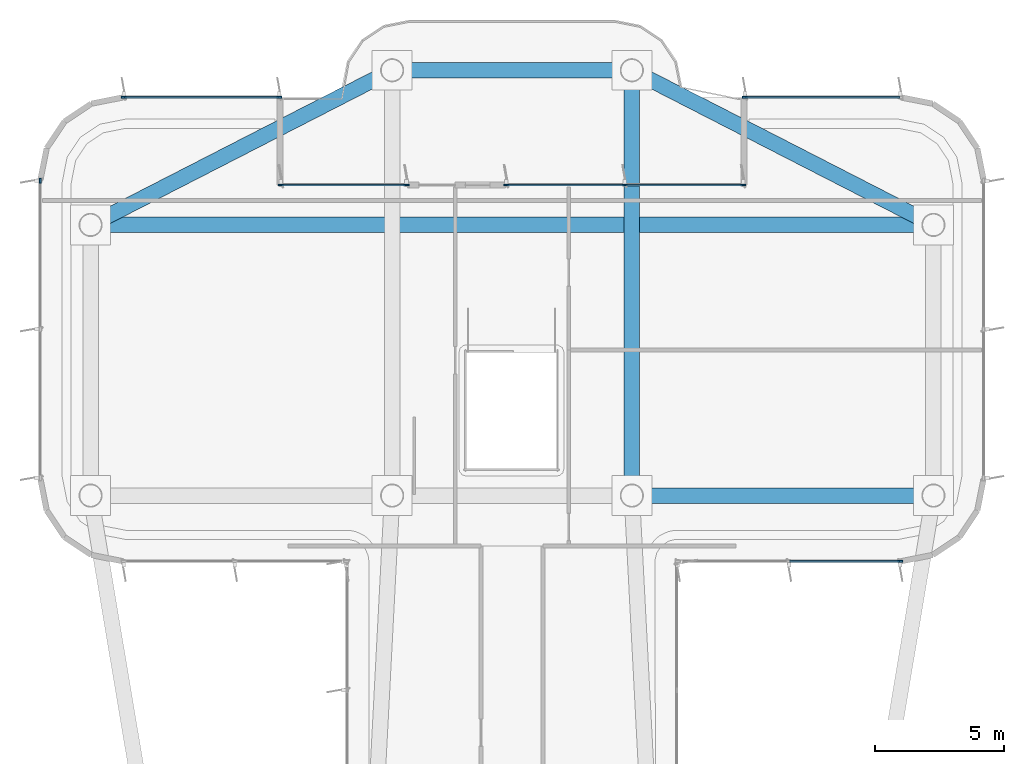
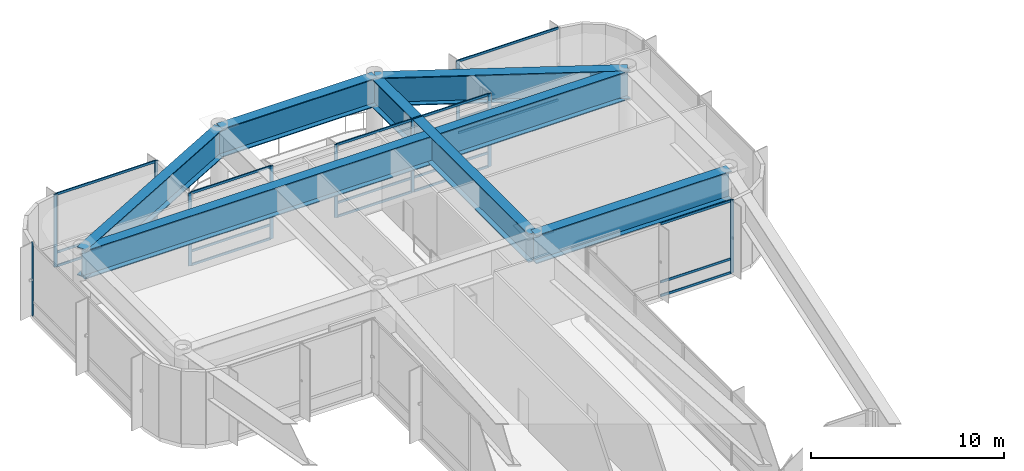
# One storey, part 6 of 13: 28 members, 6 beams, 6 elements without a shape of their own.
"""IFC4 building model written with IfcOpenShell, lengths in metres."""

from ifc_helpers import new_model, si_unit, direction, frame, origin, origin_2d, place, context, subcontext, project, spatial, rectangle, i_section, extrude, source, transform, mapped, material, layer, layer_set, material_profile, profile_set, type_object, element, aggregate, save


model = new_model("IFC4")

# Units and contexts
model_context = context("Model", 3, precision=1e-05, world=origin(), true_north=direction((0.0, 1.0)))
body_context = subcontext(model_context, "Body", "Model", "MODEL_VIEW")
ifc_project = project(units=[si_unit("LENGTHUNIT", "METRE"), si_unit("AREAUNIT", "SQUARE_METRE"), si_unit("VOLUMEUNIT", "CUBIC_METRE"), si_unit("PLANEANGLEUNIT", "RADIAN"), si_unit("MASSUNIT", "GRAM", prefix="KILO")], contexts=[model_context])

# Site, building, storey
site_placement = place(None, origin())
site = spatial("IfcSite", under=ifc_project, at=site_placement, CompositionType="ELEMENT")
building_placement = place(site_placement, origin())
building = spatial("IfcBuilding", under=site, at=building_placement, Name="Brelvock Crest Care Tower", CompositionType="ELEMENT")
storey_placement = place(building_placement, frame((0.0, 0.0, 291.06005859375)))
storey = spatial("IfcBuildingStorey", under=building, at=storey_placement, Name="L74", CompositionType="ELEMENT", Elevation=291.06005859375)

# Beams
ifc_material_1 = material(Name="Steel Grade 350", Category="steel")
ifc_material_profile_1 = material_profile(ifc_material_1, i_section(OverallWidth=0.60009765625, OverallDepth=1.800048828125, WebThickness=0.028076171875, FlangeThickness=0.052001953125, at=origin_2d()), Name="1800TG740")
ifc_profile_set_1 = profile_set([ifc_material_profile_1], Name="Steel Grade 350")
beam_type = type_object("IfcBeamType", Name="BM-TG1", PredefinedType="USERDEFINED", material=ifc_profile_set_1)
shared_shape_1 = source(origin(), body_context, "Body", "SweptSolid", [
    extrude(i_section(OverallWidth=0.60009765625, OverallDepth=1.800048828125, WebThickness=0.028076171875, FlangeThickness=0.052001953125, at=origin_2d()), origin(), (0.0, 0.0, 1.0), 9.2998046875),
])
beam_1_placement = place(storey_placement, frame((31.35009765625, 60.449951171875, 3.7099609375), z_axis=(1.0, 0.0, 0.0), x_axis=(0.0, 1.0, 0.0)))
element("IfcBeam", 1, at=beam_1_placement, inside=storey, type_object=beam_type, Name="BM-TWR-L74-08", ObjectType="GIRDER", PredefinedType="USERDEFINED", context=body_context, shape_type="MappedRepresentation", body=[
    mapped(shared_shape_1, transform((0.0, 0.0, 0.0), x_axis=(1.0, 0.0, 0.0), y_axis=(0.0, 1.0, 0.0), z_axis=(0.0, 0.0, 1.0), scale=1.0)),
])
shared_shape_2 = source(origin(), body_context, "Body", "SweptSolid", [
    extrude(i_section(OverallWidth=0.60009765625, OverallDepth=1.800048828125, WebThickness=0.028076171875, FlangeThickness=0.052001953125, at=origin_2d()), origin(), (0.0, 0.0, 1.0), 11.7001953125),
])
beam_2_placement = place(storey_placement, frame((40.64990234375, 43.949951171875, 3.7099609375), z_axis=(1.0, 0.0, 0.0), x_axis=(0.0, 1.0, 0.0)))
element("IfcBeam", 2, at=beam_2_placement, inside=storey, type_object=beam_type, Name="BM-TWR-L74-04", ObjectType="GIRDER", PredefinedType="USERDEFINED", context=body_context, shape_type="MappedRepresentation", body=[
    mapped(shared_shape_2, transform((0.0, 0.0, 0.0), x_axis=(1.0, 0.0, 0.0), y_axis=(0.0, 1.0, 0.0), z_axis=(0.0, 0.0, 1.0), scale=1.0)),
])
shared_shape_3 = source(origin(), body_context, "Body", "SweptSolid", [
    extrude(i_section(OverallWidth=0.60009765625, OverallDepth=1.800048828125, WebThickness=0.028076171875, FlangeThickness=0.052001953125, at=origin_2d()), origin(), (0.0, 0.0, 1.0), 13.14892578125),
])
for number, where, z_axis, x_axis, name in (
    (3, (19.64990234375, 54.449951171875, 3.7099609375), (0.889820555736, 0.456310616346, 0.0), (-0.456310616346, 0.889820555736, 0.0), "BM-TWR-L74-06"),
    (4, (40.64990234375, 60.449951171875, 3.7099609375), (0.889820555736, -0.456310616346, 0.0), (0.456310616346, 0.889820555736, 0.0), "BM-TWR-L74-07"),
):
    element("IfcBeam", number, at=place(storey_placement, frame(where, z_axis=z_axis, x_axis=x_axis)), inside=storey, type_object=beam_type, Name=name, ObjectType="GIRDER", PredefinedType="USERDEFINED", context=body_context, shape_type="MappedRepresentation", body=[
        mapped(shared_shape_3, transform((0.0, 0.0, 0.0), x_axis=(1.0, 0.0, 0.0), y_axis=(0.0, 1.0, 0.0), z_axis=(0.0, 0.0, 1.0), scale=1.0)),
    ])
shared_shape_4 = source(origin(), body_context, "Body", "SweptSolid", [
    extrude(i_section(OverallWidth=0.60009765625, OverallDepth=1.800048828125, WebThickness=0.028076171875, FlangeThickness=0.052001953125, at=origin_2d()), origin(), (0.0, 0.0, 1.0), 16.5),
])
beam_3_placement = place(storey_placement, frame((40.64990234375, 43.949951171875, 3.7099609375), z_axis=(0.0, 1.0, 0.0), x_axis=(-1.0, 0.0, 0.0)))
element("IfcBeam", 5, at=beam_3_placement, inside=storey, type_object=beam_type, Name="BM-TWR-L74-10", ObjectType="GIRDER", PredefinedType="USERDEFINED", context=body_context, shape_type="MappedRepresentation", body=[
    mapped(shared_shape_4, transform((0.0, 0.0, 0.0), x_axis=(1.0, 0.0, 0.0), y_axis=(0.0, 1.0, 0.0), z_axis=(0.0, 0.0, 1.0), scale=1.0)),
])
shared_shape_5 = source(origin(), body_context, "Body", "SweptSolid", [
    extrude(i_section(OverallWidth=0.60009765625, OverallDepth=1.800048828125, WebThickness=0.028076171875, FlangeThickness=0.052001953125, at=origin_2d()), origin(), (0.0, 0.0, 1.0), 32.7001953125),
])
beam_4_placement = place(storey_placement, frame((19.64990234375, 54.449951171875, 3.7099609375), z_axis=(1.0, 0.0, 0.0), x_axis=(0.0, 1.0, 0.0)))
element("IfcBeam", 6, at=beam_4_placement, inside=storey, type_object=beam_type, Name="BM-TWR-L74-11", ObjectType="GIRDER", PredefinedType="USERDEFINED", context=body_context, shape_type="MappedRepresentation", body=[
    mapped(shared_shape_5, transform((0.0, 0.0, 0.0), x_axis=(1.0, 0.0, 0.0), y_axis=(0.0, 1.0, 0.0), z_axis=(0.0, 0.0, 1.0), scale=1.0)),
])

# Curtain wall, members
ifc_material_2 = material(Name="Dark Glass Double Glazed Low-E", Category="glass")
ifc_layer = layer(ifc_material_2, 0.2548828125, Name="CWS-6")
ifc_layer_set = layer_set([ifc_layer], Name="Dark Glass Double Glazed Low-E")
curtain_wall_type = type_object("IfcCurtainWallType", Name="CWS-6", PredefinedType="NOTDEFINED", material=ifc_layer_set)
curtain_wall_1_placement = place(storey_placement, origin())
curtain_wall_1 = element("IfcCurtainWall", 7, at=curtain_wall_1_placement, inside=storey, type_object=curtain_wall_type, Name="L74 Curtain Wall E09", PredefinedType="NOTDEFINED")
ifc_material_3 = material(Name="Aluminium 6063-T6", Category="aluminium")
ifc_material_profile_2 = material_profile(ifc_material_3, rectangle(XDim=0.06494140625, YDim=0.14990234375, at=origin_2d()), Name="ALU65x150")
ifc_profile_set_2 = profile_set([ifc_material_profile_2], Name="Aluminium 6063-T6")
member_type_1 = type_object("IfcMemberType", Name="CWT-1", PredefinedType="USERDEFINED", material=ifc_profile_set_2)
shared_shape_6 = source(origin(), body_context, "Body", "SweptSolid", [
    extrude(rectangle(XDim=0.06494140625, YDim=0.14990234375, at=origin_2d()), origin(), (0.0, 0.0, 1.0), 4.25244140625),
])
member_1_placement = place(storey_placement, frame((51.034912109375, 41.39990234375, 0.032470703125), z_axis=(-1.0, 0.0, 0.0), x_axis=(0.0, -1.0, 0.0)))
member_1 = element("IfcMember", 8, at=member_1_placement, type_object=member_type_1, Name="CW-6 transom 1.1", ObjectType="TRANSOM", PredefinedType="USERDEFINED", context=body_context, shape_type="MappedRepresentation", body=[
    mapped(shared_shape_6, transform((0.0, 0.0, 0.0), x_axis=(1.0, 0.0, 0.0), y_axis=(0.0, 1.0, 0.0), z_axis=(0.0, 0.0, 1.0), scale=1.0)),
])
member_2_placement = place(storey_placement, frame((51.034912109375, 41.39990234375, 0.89990234375), z_axis=(-1.0, 0.0, 0.0), x_axis=(0.0, -1.0, 0.0)))
member_2 = element("IfcMember", 9, at=member_2_placement, type_object=member_type_1, Name="CW-6 transom 1.2", ObjectType="TRANSOM", PredefinedType="USERDEFINED", context=body_context, shape_type="MappedRepresentation", body=[
    mapped(shared_shape_6, transform((0.0, 0.0, 0.0), x_axis=(1.0, 0.0, 0.0), y_axis=(0.0, 1.0, 0.0), z_axis=(0.0, 0.0, 1.0), scale=1.0)),
])
member_3_placement = place(storey_placement, frame((51.034912109375, 41.39990234375, 4.577392578125), z_axis=(-1.0, 0.0, 0.0), x_axis=(0.0, -1.0, 0.0)))
member_3 = element("IfcMember", 10, at=member_3_placement, type_object=member_type_1, Name="CW-6 transom 1.3", ObjectType="TRANSOM", PredefinedType="USERDEFINED", context=body_context, shape_type="MappedRepresentation", body=[
    mapped(shared_shape_6, transform((0.0, 0.0, 0.0), x_axis=(1.0, 0.0, 0.0), y_axis=(0.0, 1.0, 0.0), z_axis=(0.0, 0.0, 1.0), scale=1.0)),
])
ifc_material_profile_3 = material_profile(ifc_material_3, rectangle(XDim=0.06494140625, YDim=0.199951171875, at=origin_2d()), Name="ALU65x200")
ifc_profile_set_3 = profile_set([ifc_material_profile_3], Name="Aluminium 6063-T6")
member_type_2 = type_object("IfcMemberType", Name="CWM-1", PredefinedType="MULLION", material=ifc_profile_set_3)
shared_shape_7 = source(origin(), body_context, "Body", "SweptSolid", [
    extrude(rectangle(XDim=0.06494140625, YDim=0.199951171875, at=origin_2d()), origin(), (0.0, 0.0, 1.0), 4.60986328125),
])
member_4_placement = place(storey_placement, frame((51.0673828125, 41.39990234375, 0.0), z_axis=(0.0, 0.0, 1.0), x_axis=(0.0, -1.0, 0.0)))
member_4 = element("IfcMember", 11, at=member_4_placement, type_object=member_type_2, Name="CW-6 mullion 1", PredefinedType="MULLION", context=body_context, shape_type="MappedRepresentation", body=[
    mapped(shared_shape_7, transform((0.0, 0.0, 0.0), x_axis=(1.0, 0.0, 0.0), y_axis=(0.0, 1.0, 0.0), z_axis=(0.0, 0.0, 1.0), scale=1.0)),
])
aggregate(curtain_wall_1, [member_4, member_1, member_2, member_3])

# Curtain wall, member
curtain_wall_2_placement = place(storey_placement, origin())
curtain_wall_2 = element("IfcCurtainWall", 12, at=curtain_wall_2_placement, inside=storey, type_object=curtain_wall_type, Name="L74 Curtain Wall E30", PredefinedType="NOTDEFINED")
member_5_placement = place(storey_placement, frame((17.699951171875, 56.16748046875, 0.0), z_axis=(0.0, 0.0, 1.0), x_axis=(-1.0, 0.0, 0.0)))
member_5 = element("IfcMember", 13, at=member_5_placement, type_object=member_type_2, Name="CW-6 mullion 3", PredefinedType="MULLION", context=body_context, shape_type="MappedRepresentation", body=[
    mapped(shared_shape_7, transform((0.0, 0.0, 0.0), x_axis=(1.0, 0.0, 0.0), y_axis=(0.0, 1.0, 0.0), z_axis=(0.0, 0.0, 1.0), scale=1.0)),
])
aggregate(curtain_wall_2, [member_5])

# Curtain wall, members
curtain_wall_3_placement = place(storey_placement, origin())
curtain_wall_3 = element("IfcCurtainWall", 14, at=curtain_wall_3_placement, inside=storey, type_object=curtain_wall_type, Name="L74 Curtain Wall E35", PredefinedType="NOTDEFINED")
member_6_placement = place(storey_placement, frame((20.9326171875, 59.39990234375, 0.0), z_axis=(0.0, 0.0, 1.0), x_axis=(0.0, 1.0, 0.0)))
member_6 = element("IfcMember", 15, at=member_6_placement, type_object=member_type_2, Name="CW-6 mullion 1", PredefinedType="MULLION", context=body_context, shape_type="MappedRepresentation", body=[
    mapped(shared_shape_7, transform((0.0, 0.0, 0.0), x_axis=(1.0, 0.0, 0.0), y_axis=(0.0, 1.0, 0.0), z_axis=(0.0, 0.0, 1.0), scale=1.0)),
])
member_7_placement = place(storey_placement, frame((26.967529296875, 59.39990234375, 0.0), z_axis=(0.0, 0.0, 1.0), x_axis=(0.0, 1.0, 0.0)))
member_7 = element("IfcMember", 16, at=member_7_placement, type_object=member_type_2, Name="CW-6 mullion 2", PredefinedType="MULLION", context=body_context, shape_type="MappedRepresentation", body=[
    mapped(shared_shape_7, transform((0.0, 0.0, 0.0), x_axis=(1.0, 0.0, 0.0), y_axis=(0.0, 1.0, 0.0), z_axis=(0.0, 0.0, 1.0), scale=1.0)),
])

curtain_wall_4_placement = place(storey_placement, origin())
curtain_wall_4 = element("IfcCurtainWall", 17, at=curtain_wall_4_placement, inside=storey, type_object=curtain_wall_type, Name="L74 Curtain Wall E37A", PredefinedType="NOTDEFINED")
member_8_placement = place(storey_placement, frame((27.032470703125, 56.0, 0.0), z_axis=(0.0, 0.0, 1.0), x_axis=(0.0, 1.0, 0.0)))
member_8 = element("IfcMember", 18, at=member_8_placement, type_object=member_type_2, Name="CW-6 mullion 1", PredefinedType="MULLION", context=body_context, shape_type="MappedRepresentation", body=[
    mapped(shared_shape_7, transform((0.0, 0.0, 0.0), x_axis=(1.0, 0.0, 0.0), y_axis=(0.0, 1.0, 0.0), z_axis=(0.0, 0.0, 1.0), scale=1.0)),
])
member_9_placement = place(storey_placement, frame((31.907470703125, 56.0, 0.0), z_axis=(0.0, 0.0, 1.0), x_axis=(0.0, 1.0, 0.0)))
member_9 = element("IfcMember", 19, at=member_9_placement, type_object=member_type_2, Name="CW-6 mullion 2", PredefinedType="MULLION", context=body_context, shape_type="MappedRepresentation", body=[
    mapped(shared_shape_7, transform((0.0, 0.0, 0.0), x_axis=(1.0, 0.0, 0.0), y_axis=(0.0, 1.0, 0.0), z_axis=(0.0, 0.0, 1.0), scale=1.0)),
])

curtain_wall_5_placement = place(storey_placement, origin())
curtain_wall_5 = element("IfcCurtainWall", 20, at=curtain_wall_5_placement, inside=storey, type_object=curtain_wall_type, Name="L74 Curtain Wall E37B", PredefinedType="NOTDEFINED")
member_10_placement = place(storey_placement, frame((35.7724609375, 56.0, 0.0), z_axis=(0.0, 0.0, 1.0), x_axis=(0.0, 1.0, 0.0)))
member_10 = element("IfcMember", 21, at=member_10_placement, type_object=member_type_2, Name="CW-6 mullion 1", PredefinedType="MULLION", context=body_context, shape_type="MappedRepresentation", body=[
    mapped(shared_shape_7, transform((0.0, 0.0, 0.0), x_axis=(1.0, 0.0, 0.0), y_axis=(0.0, 1.0, 0.0), z_axis=(0.0, 0.0, 1.0), scale=1.0)),
])
member_11_placement = place(storey_placement, frame((40.3701171875, 56.0, 0.0), z_axis=(0.0, 0.0, 1.0), x_axis=(0.0, 1.0, 0.0)))
member_11 = element("IfcMember", 22, at=member_11_placement, type_object=member_type_2, Name="CW-6 mullion 2", PredefinedType="MULLION", context=body_context, shape_type="MappedRepresentation", body=[
    mapped(shared_shape_7, transform((0.0, 0.0, 0.0), x_axis=(1.0, 0.0, 0.0), y_axis=(0.0, 1.0, 0.0), z_axis=(0.0, 0.0, 1.0), scale=1.0)),
])
member_12_placement = place(storey_placement, frame((44.967529296875, 56.0, 0.0), z_axis=(0.0, 0.0, 1.0), x_axis=(0.0, 1.0, 0.0)))
member_12 = element("IfcMember", 23, at=member_12_placement, type_object=member_type_2, Name="CW-6 mullion 3", PredefinedType="MULLION", context=body_context, shape_type="MappedRepresentation", body=[
    mapped(shared_shape_7, transform((0.0, 0.0, 0.0), x_axis=(1.0, 0.0, 0.0), y_axis=(0.0, 1.0, 0.0), z_axis=(0.0, 0.0, 1.0), scale=1.0)),
])

# Curtain wall, member
curtain_wall_6_placement = place(storey_placement, origin())
curtain_wall_6 = element("IfcCurtainWall", 24, at=curtain_wall_6_placement, inside=storey, type_object=curtain_wall_type, Name="L74 Curtain Wall E39", PredefinedType="NOTDEFINED")
member_13_placement = place(storey_placement, frame((45.032470703125, 59.39990234375, 0.0), z_axis=(0.0, 0.0, 1.0), x_axis=(0.0, 1.0, 0.0)))
member_13 = element("IfcMember", 25, at=member_13_placement, type_object=member_type_2, Name="CW-6 mullion 1", PredefinedType="MULLION", context=body_context, shape_type="MappedRepresentation", body=[
    mapped(shared_shape_7, transform((0.0, 0.0, 0.0), x_axis=(1.0, 0.0, 0.0), y_axis=(0.0, 1.0, 0.0), z_axis=(0.0, 0.0, 1.0), scale=1.0)),
])

# Member
shared_shape_8 = source(origin(), body_context, "Body", "SweptSolid", [
    extrude(rectangle(XDim=0.06494140625, YDim=0.14990234375, at=origin_2d()), origin(), (0.0, 0.0, 1.0), 5.969970703125),
])
member_14_placement = place(storey_placement, frame((20.965087890625, 59.39990234375, 0.032470703125), z_axis=(1.0, 0.0, 0.0), x_axis=(0.0, 1.0, 0.0)))
member_14 = element("IfcMember", 26, at=member_14_placement, type_object=member_type_1, Name="CW-6 transom 1.1", ObjectType="TRANSOM", PredefinedType="USERDEFINED", context=body_context, shape_type="MappedRepresentation", body=[
    mapped(shared_shape_8, transform((0.0, 0.0, 0.0), x_axis=(1.0, 0.0, 0.0), y_axis=(0.0, 1.0, 0.0), z_axis=(0.0, 0.0, 1.0), scale=1.0)),
])

member_15_placement = place(storey_placement, frame((20.965087890625, 59.39990234375, 0.89990234375), z_axis=(1.0, 0.0, 0.0), x_axis=(0.0, 1.0, 0.0)))
member_15 = element("IfcMember", 27, at=member_15_placement, type_object=member_type_1, Name="CW-6 transom 1.2", ObjectType="TRANSOM", PredefinedType="USERDEFINED", context=body_context, shape_type="MappedRepresentation", body=[
    mapped(shared_shape_8, transform((0.0, 0.0, 0.0), x_axis=(1.0, 0.0, 0.0), y_axis=(0.0, 1.0, 0.0), z_axis=(0.0, 0.0, 1.0), scale=1.0)),
])

member_16_placement = place(storey_placement, frame((20.965087890625, 59.39990234375, 4.577392578125), z_axis=(1.0, 0.0, 0.0), x_axis=(0.0, 1.0, 0.0)))
member_16 = element("IfcMember", 28, at=member_16_placement, type_object=member_type_1, Name="CW-6 transom 1.3", ObjectType="TRANSOM", PredefinedType="USERDEFINED", context=body_context, shape_type="MappedRepresentation", body=[
    mapped(shared_shape_8, transform((0.0, 0.0, 0.0), x_axis=(1.0, 0.0, 0.0), y_axis=(0.0, 1.0, 0.0), z_axis=(0.0, 0.0, 1.0), scale=1.0)),
])

aggregate(curtain_wall_3, [member_6, member_7, member_14, member_15, member_16])

member_17_placement = place(storey_placement, frame((45.06494140625, 59.39990234375, 0.032470703125), z_axis=(1.0, 0.0, 0.0), x_axis=(0.0, 1.0, 0.0)))
member_17 = element("IfcMember", 29, at=member_17_placement, type_object=member_type_1, Name="CW-6 transom 1.1", ObjectType="TRANSOM", PredefinedType="USERDEFINED", context=body_context, shape_type="MappedRepresentation", body=[
    mapped(shared_shape_8, transform((0.0, 0.0, 0.0), x_axis=(1.0, 0.0, 0.0), y_axis=(0.0, 1.0, 0.0), z_axis=(0.0, 0.0, 1.0), scale=1.0)),
])

member_18_placement = place(storey_placement, frame((45.06494140625, 59.39990234375, 0.89990234375), z_axis=(1.0, 0.0, 0.0), x_axis=(0.0, 1.0, 0.0)))
member_18 = element("IfcMember", 30, at=member_18_placement, type_object=member_type_1, Name="CW-6 transom 1.2", ObjectType="TRANSOM", PredefinedType="USERDEFINED", context=body_context, shape_type="MappedRepresentation", body=[
    mapped(shared_shape_8, transform((0.0, 0.0, 0.0), x_axis=(1.0, 0.0, 0.0), y_axis=(0.0, 1.0, 0.0), z_axis=(0.0, 0.0, 1.0), scale=1.0)),
])

member_19_placement = place(storey_placement, frame((45.06494140625, 59.39990234375, 4.577392578125), z_axis=(1.0, 0.0, 0.0), x_axis=(0.0, 1.0, 0.0)))
member_19 = element("IfcMember", 31, at=member_19_placement, type_object=member_type_1, Name="CW-6 transom 1.3", ObjectType="TRANSOM", PredefinedType="USERDEFINED", context=body_context, shape_type="MappedRepresentation", body=[
    mapped(shared_shape_8, transform((0.0, 0.0, 0.0), x_axis=(1.0, 0.0, 0.0), y_axis=(0.0, 1.0, 0.0), z_axis=(0.0, 0.0, 1.0), scale=1.0)),
])

aggregate(curtain_wall_6, [member_13, member_17, member_18, member_19])

shared_shape_9 = source(origin(), body_context, "Body", "SweptSolid", [
    extrude(rectangle(XDim=0.06494140625, YDim=0.14990234375, at=origin_2d()), origin(), (0.0, 0.0, 1.0), 4.81005859375),
])
member_20_placement = place(storey_placement, frame((27.06494140625, 56.0, 0.032470703125), z_axis=(1.0, 0.0, 0.0), x_axis=(0.0, 1.0, 0.0)))
member_20 = element("IfcMember", 32, at=member_20_placement, type_object=member_type_1, Name="CW-6 transom 1.1", ObjectType="TRANSOM", PredefinedType="USERDEFINED", context=body_context, shape_type="MappedRepresentation", body=[
    mapped(shared_shape_9, transform((0.0, 0.0, 0.0), x_axis=(1.0, 0.0, 0.0), y_axis=(0.0, 1.0, 0.0), z_axis=(0.0, 0.0, 1.0), scale=1.0)),
])

member_21_placement = place(storey_placement, frame((27.06494140625, 56.0, 0.89990234375), z_axis=(1.0, 0.0, 0.0), x_axis=(0.0, 1.0, 0.0)))
member_21 = element("IfcMember", 33, at=member_21_placement, type_object=member_type_1, Name="CW-6 transom 1.2", ObjectType="TRANSOM", PredefinedType="USERDEFINED", context=body_context, shape_type="MappedRepresentation", body=[
    mapped(shared_shape_9, transform((0.0, 0.0, 0.0), x_axis=(1.0, 0.0, 0.0), y_axis=(0.0, 1.0, 0.0), z_axis=(0.0, 0.0, 1.0), scale=1.0)),
])

member_22_placement = place(storey_placement, frame((27.06494140625, 56.0, 4.577392578125), z_axis=(1.0, 0.0, 0.0), x_axis=(0.0, 1.0, 0.0)))
member_22 = element("IfcMember", 34, at=member_22_placement, type_object=member_type_1, Name="CW-6 transom 1.3", ObjectType="TRANSOM", PredefinedType="USERDEFINED", context=body_context, shape_type="MappedRepresentation", body=[
    mapped(shared_shape_9, transform((0.0, 0.0, 0.0), x_axis=(1.0, 0.0, 0.0), y_axis=(0.0, 1.0, 0.0), z_axis=(0.0, 0.0, 1.0), scale=1.0)),
])

aggregate(curtain_wall_4, [member_8, member_9, member_20, member_21, member_22])

shared_shape_10 = source(origin(), body_context, "Body", "SweptSolid", [
    extrude(rectangle(XDim=0.06494140625, YDim=0.14990234375, at=origin_2d()), origin(), (0.0, 0.0, 1.0), 4.532470703125),
])
member_23_placement = place(storey_placement, frame((35.804931640625, 56.0, 0.032470703125), z_axis=(1.0, 0.0, 0.0), x_axis=(0.0, 1.0, 0.0)))
member_23 = element("IfcMember", 35, at=member_23_placement, type_object=member_type_1, Name="CW-6 transom 1.1", ObjectType="TRANSOM", PredefinedType="USERDEFINED", context=body_context, shape_type="MappedRepresentation", body=[
    mapped(shared_shape_10, transform((0.0, 0.0, 0.0), x_axis=(1.0, 0.0, 0.0), y_axis=(0.0, 1.0, 0.0), z_axis=(0.0, 0.0, 1.0), scale=1.0)),
])

member_24_placement = place(storey_placement, frame((35.804931640625, 56.0, 0.89990234375), z_axis=(1.0, 0.0, 0.0), x_axis=(0.0, 1.0, 0.0)))
member_24 = element("IfcMember", 36, at=member_24_placement, type_object=member_type_1, Name="CW-6 transom 1.2", ObjectType="TRANSOM", PredefinedType="USERDEFINED", context=body_context, shape_type="MappedRepresentation", body=[
    mapped(shared_shape_10, transform((0.0, 0.0, 0.0), x_axis=(1.0, 0.0, 0.0), y_axis=(0.0, 1.0, 0.0), z_axis=(0.0, 0.0, 1.0), scale=1.0)),
])

member_25_placement = place(storey_placement, frame((35.804931640625, 56.0, 4.577392578125), z_axis=(1.0, 0.0, 0.0), x_axis=(0.0, 1.0, 0.0)))
member_25 = element("IfcMember", 37, at=member_25_placement, type_object=member_type_1, Name="CW-6 transom 1.3", ObjectType="TRANSOM", PredefinedType="USERDEFINED", context=body_context, shape_type="MappedRepresentation", body=[
    mapped(shared_shape_10, transform((0.0, 0.0, 0.0), x_axis=(1.0, 0.0, 0.0), y_axis=(0.0, 1.0, 0.0), z_axis=(0.0, 0.0, 1.0), scale=1.0)),
])

member_26_placement = place(storey_placement, frame((40.402587890625, 56.0, 0.032470703125), z_axis=(1.0, 0.0, 0.0), x_axis=(0.0, 1.0, 0.0)))
member_26 = element("IfcMember", 38, at=member_26_placement, type_object=member_type_1, Name="CW-6 transom 2.1", ObjectType="TRANSOM", PredefinedType="USERDEFINED", context=body_context, shape_type="MappedRepresentation", body=[
    mapped(shared_shape_10, transform((0.0, 0.0, 0.0), x_axis=(1.0, 0.0, 0.0), y_axis=(0.0, 1.0, 0.0), z_axis=(0.0, 0.0, 1.0), scale=1.0)),
])

member_27_placement = place(storey_placement, frame((40.402587890625, 56.0, 0.89990234375), z_axis=(1.0, 0.0, 0.0), x_axis=(0.0, 1.0, 0.0)))
member_27 = element("IfcMember", 39, at=member_27_placement, type_object=member_type_1, Name="CW-6 transom 2.2", ObjectType="TRANSOM", PredefinedType="USERDEFINED", context=body_context, shape_type="MappedRepresentation", body=[
    mapped(shared_shape_10, transform((0.0, 0.0, 0.0), x_axis=(1.0, 0.0, 0.0), y_axis=(0.0, 1.0, 0.0), z_axis=(0.0, 0.0, 1.0), scale=1.0)),
])

member_28_placement = place(storey_placement, frame((40.402587890625, 56.0, 4.577392578125), z_axis=(1.0, 0.0, 0.0), x_axis=(0.0, 1.0, 0.0)))
member_28 = element("IfcMember", 40, at=member_28_placement, type_object=member_type_1, Name="CW-6 transom 2.3", ObjectType="TRANSOM", PredefinedType="USERDEFINED", context=body_context, shape_type="MappedRepresentation", body=[
    mapped(shared_shape_10, transform((0.0, 0.0, 0.0), x_axis=(1.0, 0.0, 0.0), y_axis=(0.0, 1.0, 0.0), z_axis=(0.0, 0.0, 1.0), scale=1.0)),
])

aggregate(curtain_wall_5, [member_10, member_11, member_12, member_23, member_24, member_25, member_26, member_27, member_28])

save(model, "model.ifc")
